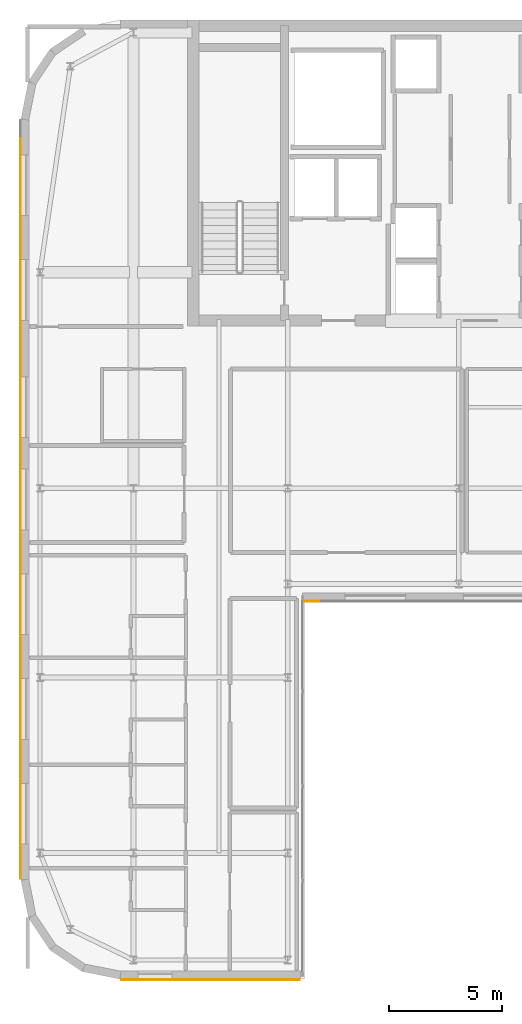
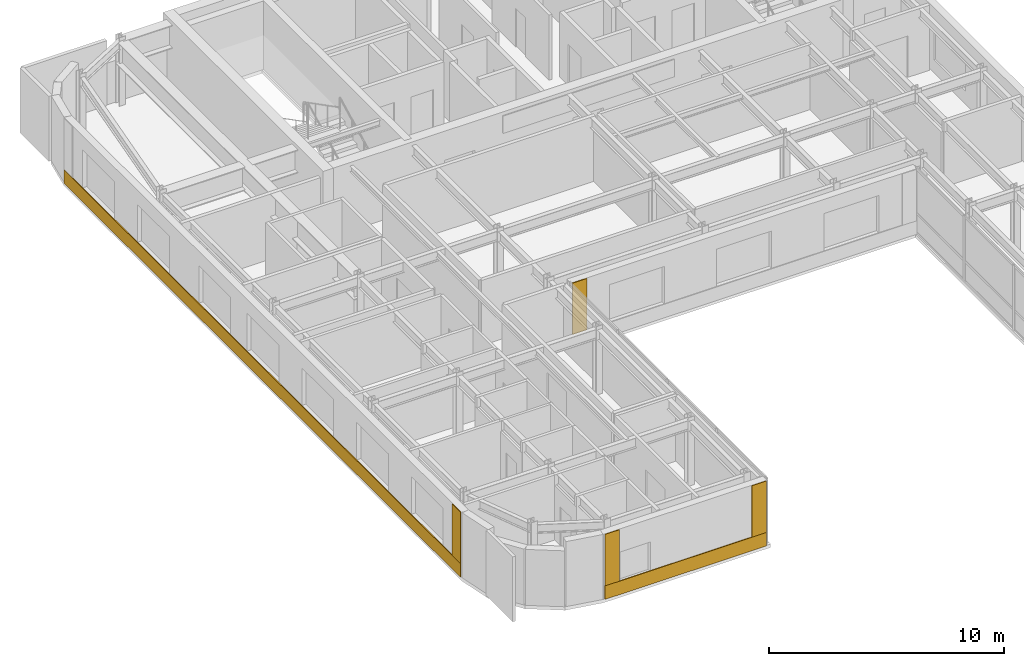
# One storey, part 17 of 20: 6 coverings.
"""IFC4 building model written with IfcOpenShell, lengths in metres."""

from ifc_helpers import new_model, si_unit, direction, frame, origin, place, context, subcontext, project, spatial, polyline, outline, extrude, material, layer, layer_set, type_object, element, save


model = new_model("IFC4")

# Units and contexts
model_context = context("Model", 3, precision=1e-05, world=origin(), true_north=direction((0.0, 1.0)))
body_context = subcontext(model_context, "Body", "Model", "MODEL_VIEW")
ifc_project = project(units=[si_unit("LENGTHUNIT", "METRE"), si_unit("AREAUNIT", "SQUARE_METRE"), si_unit("VOLUMEUNIT", "CUBIC_METRE"), si_unit("PLANEANGLEUNIT", "RADIAN"), si_unit("MASSUNIT", "GRAM", prefix="KILO")], contexts=[model_context])

# Site, building, storey
site_placement = place(None, origin())
site = spatial("IfcSite", under=ifc_project, at=site_placement, CompositionType="ELEMENT")
building_placement = place(site_placement, origin())
building = spatial("IfcBuilding", under=site, at=building_placement, Name="Tolvann Quenvar Hotel", CompositionType="ELEMENT")
storey_placement = place(building_placement, frame((0.0, 0.0, 248.75)))
storey = spatial("IfcBuildingStorey", under=building, at=storey_placement, Name="L66", CompositionType="ELEMENT", Elevation=248.75)

# Coverings
ifc_material_1 = material(Name="Kiln-fired red architectural face brick cladding", Category="masonry")
ifc_layer_1 = layer(ifc_material_1, 0.0400390625)
ifc_layer_set_1 = layer_set([ifc_layer_1], Name="Kiln-fired red architectural face brick cladding")
covering_type_1 = type_object("IfcCoveringType", Name="COV_CLAD_BRICK_40", PredefinedType="CLADDING", material=ifc_layer_set_1)
covering_1_placement = place(storey_placement, frame((0.0, 0.0, 0.699951171875)))
element("IfcCovering", 1, at=covering_1_placement, inside=storey, type_object=covering_type_1, Name="Brick Pier Cladding (L66-E04-P1)", PredefinedType="CLADDING", context=body_context, shape_type="SweptSolid", body=[
    extrude(outline(polyline([(7.067138671875, 2.60009765625), (7.76708984375, 2.60009765625), (7.76708984375, 2.56005859375), (7.067138671875, 2.56005859375), (7.067138671875, 2.60009765625)])), origin(), (0.0, 0.0, 1.0), 2.670166015625),
])
covering_2_placement = place(storey_placement, frame((0.0, 0.0, 0.699951171875)))
element("IfcCovering", 2, at=covering_2_placement, inside=storey, type_object=covering_type_1, Name="Brick Pier Cladding (L66-E04-P2)", PredefinedType="CLADDING", context=body_context, shape_type="SweptSolid", body=[
    extrude(outline(polyline([(14.27490234375, 2.60009765625), (14.97509765625, 2.60009765625), (14.97509765625, 2.56005859375), (14.27490234375, 2.56005859375), (14.27490234375, 2.60009765625)])), origin(), (0.0, 0.0, 1.0), 2.670166015625),
])
covering_3_placement = place(storey_placement, frame((0.0, 0.0, 0.699951171875)))
element("IfcCovering", 3, at=covering_3_placement, inside=storey, type_object=covering_type_1, Name="Brick Pier Cladding (L66-E06-P1)", PredefinedType="CLADDING", context=body_context, shape_type="SweptSolid", body=[
    extrude(outline(polyline([(15.159912109375, 19.39990234375), (15.860107421875, 19.39990234375), (15.860107421875, 19.360107421875), (15.159912109375, 19.360107421875), (15.159912109375, 19.39990234375)])), origin(), (0.0, 0.0, 1.0), 2.670166015625),
])
covering_4_placement = place(storey_placement, frame((0.0, 0.0, 0.699951171875)))
element("IfcCovering", 4, at=covering_4_placement, inside=storey, type_object=covering_type_1, Name="Brick Pier Cladding (L66-E23-P2)", PredefinedType="CLADDING", context=body_context, shape_type="SweptSolid", body=[
    extrude(outline(polyline([(2.60009765625, 7.76708984375), (2.60009765625, 7.067138671875), (2.56005859375, 7.067138671875), (2.56005859375, 7.76708984375), (2.60009765625, 7.76708984375)])), origin(), (0.0, 0.0, 1.0), 2.670166015625),
])
ifc_material_2 = material(Name="Moulded buff architectural terracotta spandrel cladding", Category="masonry")
ifc_layer_2 = layer(ifc_material_2, 0.0400390625)
ifc_layer_set_2 = layer_set([ifc_layer_2], Name="Moulded buff architectural terracotta spandrel cladding")
covering_type_2 = type_object("IfcCoveringType", Name="COV_CLAD_TERRA_40", PredefinedType="CLADDING", material=ifc_layer_set_2)
covering_5_placement = place(storey_placement, origin())
element("IfcCovering", 5, at=covering_5_placement, inside=storey, type_object=covering_type_2, Name="Terracotta Spandrel Cladding (L66-E04)", PredefinedType="CLADDING", context=body_context, shape_type="SweptSolid", body=[
    extrude(outline(polyline([(7.05712890625, 2.60009765625), (14.985107421875, 2.60009765625), (14.985107421875, 2.56005859375), (7.05712890625, 2.56005859375), (7.05712890625, 2.60009765625)])), origin(), (0.0, 0.0, 1.0), 0.699951171875),
])
covering_6_placement = place(storey_placement, origin())
element("IfcCovering", 6, at=covering_6_placement, inside=storey, type_object=covering_type_2, Name="Terracotta Spandrel Cladding (L66-E23)", PredefinedType="CLADDING", context=body_context, shape_type="SweptSolid", body=[
    extrude(outline(polyline([(2.60009765625, 40.742919921875), (2.60009765625, 7.05712890625), (2.56005859375, 7.05712890625), (2.56005859375, 40.742919921875), (2.60009765625, 40.742919921875)])), origin(), (0.0, 0.0, 1.0), 0.699951171875),
])

save(model, "model.ifc")
